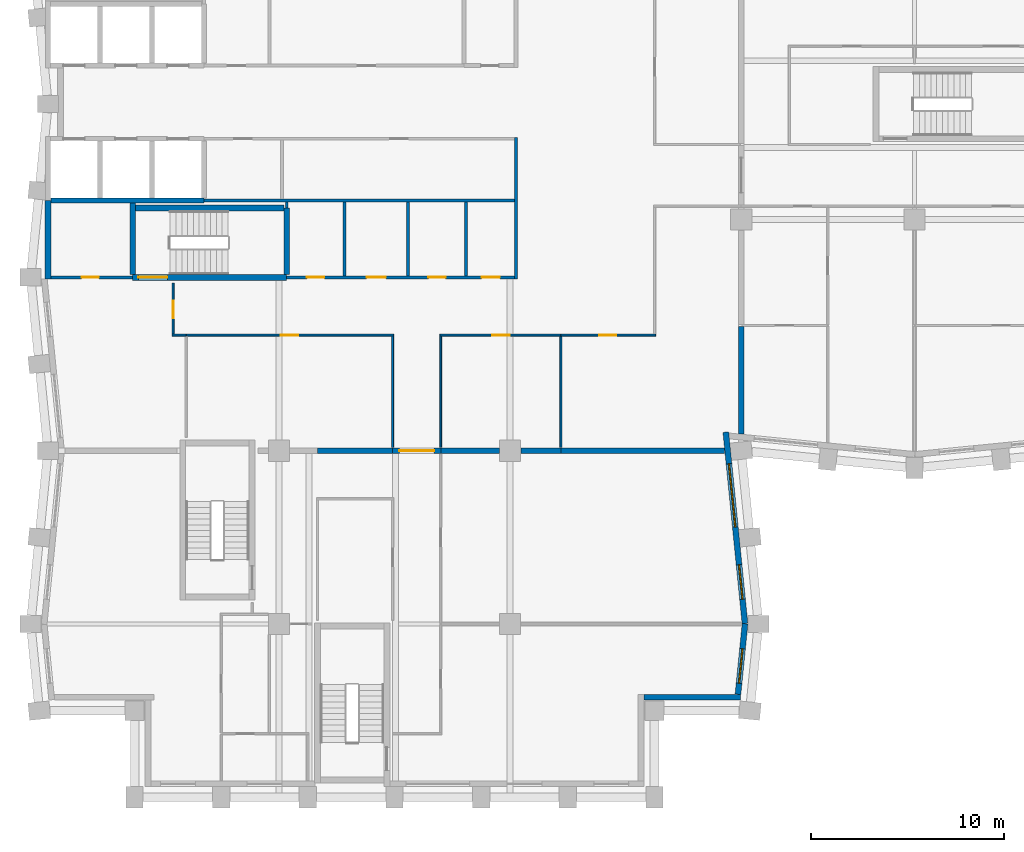
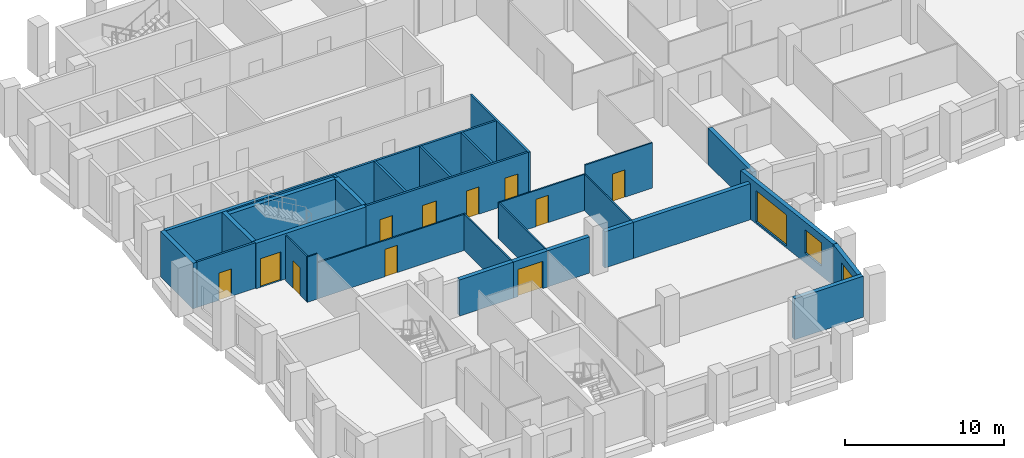
# One storey, part 4 of 10: 31 walls, 11 doors, 3 windows, 14 openings.
"""IFC4 building model written with IfcOpenShell, lengths in metres."""

import ifcopenshell
import ifcopenshell.guid

model = None  # the IFC model being written
_history = None  # IfcOwnerHistory: only IFC2X3 demands one
_inside = {}  # id of a spatial element -> (the spatial element, [elements in it])
_under = {}  # id of a project, library or spatial element -> (it, [spatial elements below it])
_declared = {}  # id of a project -> (the project, [libraries it declares])
_typed = {}  # id of a type object -> (the type object, [elements of that type])
_made_of = {}  # id of a material, layer set ... -> (it, [elements and type objects made of it])


def new_model(schema):
    """Start an empty IFC model of exactly this schema.

    Asked for "IFC4X3", IfcOpenShell would pick the latest addendum, in which some entities
    have other attributes; the version numbers below select the first issue.
    IFC2X3 requires an IfcOwnerHistory on every rooted entity: one is made here for all.
    """
    global model, _history
    if schema == "IFC4X3":
        model = ifcopenshell.file(schema_version=(4, 3, 0, 0))
    else:
        model = ifcopenshell.file(schema=schema)
    _inside.clear()
    _under.clear()
    _declared.clear()
    _typed.clear()
    _made_of.clear()
    _history = None
    if model.schema == "IFC2X3":
        org = make("IfcOrganization", Name="unknown")
        user = make(
            "IfcPersonAndOrganization",
            ThePerson=make("IfcPerson", FamilyName="unknown"),
            TheOrganization=org,
        )
        app = make(
            "IfcApplication",
            ApplicationDeveloper=org,
            Version="unknown",
            ApplicationFullName="unknown",
            ApplicationIdentifier="unknown",
        )
        _history = make(
            "IfcOwnerHistory",
            OwningUser=user,
            OwningApplication=app,
            ChangeAction="ADDED",
            CreationDate=0,
        )
    return model


def make(cls, **values):
    """One entity of the class cls with the attributes given. An attribute that is None is left unset."""
    return model.create_entity(
        cls, **{name: value for name, value in values.items() if value is not None}
    )


def rooted(cls, **values):
    """An entity with a GlobalId (a new one), such as an element, a storey or a relation."""
    return make(cls, GlobalId=ifcopenshell.guid.new(), OwnerHistory=_history, **values)


def si_unit(unit_type, name, prefix=None):
    """IfcSIUnit, for example si_unit("LENGTHUNIT", "METRE", prefix="MILLI")."""
    return make("IfcSIUnit", UnitType=unit_type, Prefix=prefix, Name=name)


def assignment(units):
    """IfcUnitAssignment: the units of a project."""
    return None if units is None else make("IfcUnitAssignment", Units=units)


def point(xyz):
    """IfcCartesianPoint."""
    return None if xyz is None else make("IfcCartesianPoint", Coordinates=xyz)


def direction(xyz):
    """IfcDirection."""
    return None if xyz is None else make("IfcDirection", DirectionRatios=xyz)


def frame(location, z_axis=None, x_axis=None):
    """IfcAxis2Placement3D, a coordinate frame: its origin and axes. An axis left out is left unset."""
    return make(
        "IfcAxis2Placement3D",
        Location=point(location),
        Axis=direction(z_axis),
        RefDirection=direction(x_axis),
    )


def frame_2d(location, x_axis=None):
    """IfcAxis2Placement2D, a coordinate frame in the plane: its origin and x axis."""
    return make(
        "IfcAxis2Placement2D", Location=point(location), RefDirection=direction(x_axis)
    )


def origin():
    """The frame at (0, 0, 0) with its axes left unset."""
    return frame((0.0, 0.0, 0.0))


def place(relative_to, where):
    """IfcLocalPlacement: puts the frame where relative to a parent placement (None: the world)."""
    return make(
        "IfcLocalPlacement", PlacementRelTo=relative_to, RelativePlacement=where
    )


def context(
    kind, dimensions, precision=None, world=None, true_north=None, identifier=None
):
    """IfcGeometricRepresentationContext, for example the 3D "Model" context."""
    return make(
        "IfcGeometricRepresentationContext",
        ContextIdentifier=identifier,
        ContextType=kind,
        CoordinateSpaceDimension=dimensions,
        Precision=precision,
        WorldCoordinateSystem=world,
        TrueNorth=true_north,
    )


def subcontext(parent, identifier, kind, view, scale=None):
    """IfcGeometricRepresentationSubContext, for example "Body" below "Model"."""
    return make(
        "IfcGeometricRepresentationSubContext",
        ContextIdentifier=identifier,
        ContextType=kind,
        ParentContext=parent,
        TargetScale=scale,
        TargetView=view,
    )


def project(units=None, contexts=None):
    """IfcProject with its units and contexts."""
    return rooted(
        "IfcProject",
        Name="project",
        RepresentationContexts=contexts,
        UnitsInContext=assignment(units),
    )


def spatial(cls, under=None, at=None, **own):
    """A site, building, storey or space (cls), placed at a placement, below another one or the project."""
    s = rooted(cls, ObjectPlacement=at, **own)
    if under is not None:
        _under.setdefault(under.id(), (under, []))[1].append(s)
    return s


def profile(cls, at=None, kind="AREA", **sizes):
    """A parametric profile (cls). Its sizes go by their IFC names, for example OverallWidth=200.0."""
    return make(cls, ProfileType=kind, Position=at, **sizes)


def rectangle(**sizes):
    """IfcRectangleProfileDef."""
    return profile("IfcRectangleProfileDef", **sizes)


def extrude(swept, where, along, depth):
    """IfcExtrudedAreaSolid: the profile swept, set in the frame where, extruded along a direction by depth."""
    return make(
        "IfcExtrudedAreaSolid",
        SweptArea=swept,
        Position=where,
        ExtrudedDirection=direction(along),
        Depth=depth,
    )


def shape(context_of_items, identifier, shape_type, items):
    """IfcShapeRepresentation: the items that make up one representation, for example the "Body"."""
    return make(
        "IfcShapeRepresentation",
        ContextOfItems=context_of_items,
        RepresentationIdentifier=identifier,
        RepresentationType=shape_type,
        Items=items,
    )


def material(Name=None, Category=None):
    """IfcMaterial."""
    return make("IfcMaterial", Name=Name, Category=Category)


def layer(
    of_material, thickness, ventilated=None, Name=None, Category=None, Priority=None
):
    """IfcMaterialLayer: one layer of a wall or slab, of a material (None: an air gap)."""
    return make(
        "IfcMaterialLayer",
        Material=of_material,
        LayerThickness=thickness,
        IsVentilated=ventilated,
        Name=Name,
        Category=Category,
        Priority=Priority,
    )


def layer_set(layers, Name=None):
    """IfcMaterialLayerSet."""
    return make("IfcMaterialLayerSet", MaterialLayers=layers, LayerSetName=Name)


def made_of(thing, what):
    """Note that an element or type object is made of a material, layer set ...; save() writes the relation."""
    if what is not None:
        _made_of.setdefault(what.id(), (what, []))[1].append(thing)
    return thing


def type_object(cls, material=None, **own):
    """A type object (cls), such as IfcWallType, which elements share."""
    return made_of(rooted(cls, **own), material)


def element(
    cls,
    number,
    at=None,
    inside=None,
    cuts=None,
    type_object=None,
    material=None,
    context=None,
    identifier="Body",
    shape_type=None,
    held_by="IfcProductDefinitionShape",
    body=None,
    shapes=None,
    **own,
):
    """One element of the class cls, such as IfcWall. Its Tag is "e" and its number.

    at: its placement. inside: the storey or other place that contains it. cuts: it is an
    opening in that element (IfcRelVoidsElement). A single representation is given by context,
    identifier, shape_type and body (its items); several are given by shapes. held_by: the class
    of the entity that holds the representations. save() writes the other relations.
    """
    e = rooted(cls, Tag="e%d" % number, ObjectPlacement=at, **own)
    if body is not None:
        shapes = [shape(context, identifier, shape_type, body)]
    if shapes is not None:
        e.Representation = make(held_by, Representations=shapes)
    if inside is not None:
        _inside.setdefault(inside.id(), (inside, []))[1].append(e)
    if cuts is not None:
        rooted(
            "IfcRelVoidsElement", RelatingBuildingElement=cuts, RelatedOpeningElement=e
        )
    if type_object is not None:
        _typed.setdefault(type_object.id(), (type_object, []))[1].append(e)
    return made_of(e, material)


def fill(opening, filler):
    """IfcRelFillsElement: the door or window that sits in an opening."""
    return rooted(
        "IfcRelFillsElement",
        RelatingOpeningElement=opening,
        RelatedBuildingElement=filler,
    )


def aggregate(whole, parts):
    """IfcRelAggregates: a whole, such as a stair, and the parts it consists of."""
    return rooted("IfcRelAggregates", RelatingObject=whole, RelatedObjects=parts)


def save(model, path):
    """Write the relations noted so far, then the file.

    IfcRelAggregates (storeys below a building ...), IfcRelContainedInSpatialStructure (elements
    in a storey), IfcRelDefinesByType, IfcRelAssociatesMaterial and IfcRelDeclares: one each for
    every whole, place, type object, material and project.
    """
    for whole, parts in _under.values():
        aggregate(whole, parts)
    for where, things in _inside.values():
        rooted(
            "IfcRelContainedInSpatialStructure",
            RelatedElements=things,
            RelatingStructure=where,
        )
    for kind, things in _typed.values():
        rooted("IfcRelDefinesByType", RelatedObjects=things, RelatingType=kind)
    for what, things in _made_of.values():
        rooted("IfcRelAssociatesMaterial", RelatedObjects=things, RelatingMaterial=what)
    for by, libraries in _declared.values():
        rooted("IfcRelDeclares", RelatingContext=by, RelatedDefinitions=libraries)
    model.write(path)


model = new_model("IFC4")

# Units and contexts
model_context = context("Model", 3, precision=1e-05, world=origin(), true_north=direction((0.0, 1.0)))
body_context = subcontext(model_context, "Body", "Model", "MODEL_VIEW")
ifc_project = project(units=[si_unit("LENGTHUNIT", "METRE"), si_unit("AREAUNIT", "SQUARE_METRE"), si_unit("VOLUMEUNIT", "CUBIC_METRE"), si_unit("PLANEANGLEUNIT", "RADIAN"), si_unit("MASSUNIT", "GRAM", prefix="KILO")], contexts=[model_context])

# Site, building, storey
site_placement = place(None, origin())
site = spatial("IfcSite", under=ifc_project, at=site_placement, CompositionType="ELEMENT")
building_placement = place(site_placement, origin())
building = spatial("IfcBuilding", under=site, at=building_placement, Name="Brondeck Convention Tower", CompositionType="ELEMENT")
storey_placement = place(building_placement, frame((0.0, 0.0, 170.0)))
storey = spatial("IfcBuildingStorey", under=building, at=storey_placement, Name="L41", CompositionType="ELEMENT", Elevation=170.0)

# Wall
ifc_material_1 = material(Name="Concrete compartment wall C30/37", Category="concrete")
ifc_layer_1 = layer(ifc_material_1, 0.300048828125)
ifc_layer_set_1 = layer_set([ifc_layer_1], Name="Compartment wall 300")
wall_type_1 = type_object("IfcWallType", Name="Compartment wall 300", PredefinedType="PARTITIONING", material=ifc_layer_set_1)
wall_1_placement = place(storey_placement, frame((14.0, 27.0, 0.0), z_axis=(0.0, 0.0, 1.0), x_axis=(1.0, 0.0, 0.0)))
element("IfcWall", 1, at=wall_1_placement, inside=storey, type_object=wall_type_1, Name="FLR-L41-W023", PredefinedType="PARTITIONING", context=body_context, shape_type="SweptSolid", body=[
    extrude(rectangle(XDim=3.89990234375, YDim=0.300048828125, at=frame_2d((1.949951171875, 0.0))), origin(), (0.0, 0.0, 1.0), 2.780029296875),
])

# Wall, opening, door
wall_2_placement = place(storey_placement, frame((20.39990234375, 27.0, 0.0), z_axis=(0.0, 0.0, 1.0), x_axis=(-1.0, 0.0, 0.0)))
wall_2 = element("IfcWall", 2, at=wall_2_placement, inside=storey, type_object=wall_type_1, Name="FLR-L41-W024", PredefinedType="PARTITIONING", context=body_context, shape_type="SweptSolid", body=[
    extrude(rectangle(XDim=2.5, YDim=0.300048828125, at=frame_2d((1.25, 0.0))), origin(), (0.0, 0.0, 1.0), 2.780029296875),
])
opening_1_placement = place(wall_2_placement, frame((0.35009765625, 0.0, 0.0)))
opening_1 = element("IfcOpeningElement", 3, at=opening_1_placement, cuts=wall_2, Name="Opening OF-H-022", PredefinedType="OPENING", context=body_context, shape_type="SweptSolid", body=[
    extrude(rectangle(XDim=1.800048828125, YDim=2.10009765625, at=frame_2d((0.89990234375, 1.050048828125))), frame((0.0, 0.159912109375, 0.0), z_axis=(0.0, -1.0, 0.0), x_axis=(1.0, 0.0, 0.0)), (0.0, 0.0, 1.0), 0.320068359375),
])
ifc_material_2 = material(Name="Steel fire door pair", Category="steel")
door_type_1 = type_object("IfcDoorType", Name="Fire door pair 1800", OperationType="DOUBLE_DOOR_SINGLE_SWING", PredefinedType="DOOR", material=ifc_material_2)
door_1_placement = place(opening_1_placement, origin())
door_1 = element("IfcDoor", 4, at=door_1_placement, inside=storey, type_object=door_type_1, Name="Door OF-H-022", OperationType="DOUBLE_DOOR_SINGLE_SWING", OverallHeight=2.10009765625, OverallWidth=1.800048828125, PredefinedType="DOOR", context=body_context, shape_type="SweptSolid", body=[
    extrude(rectangle(XDim=1.800048828125, YDim=2.10009765625, at=frame_2d((0.89990234375, 1.050048828125))), frame((0.0, 0.02490234375, 0.0), z_axis=(0.0, -1.0, 0.0), x_axis=(1.0, 0.0, 0.0)), (0.0, 0.0, 1.0), 0.050048828125),
])
fill(opening_1, door_1)

# Walls
wall_3_placement = place(storey_placement, frame((20.39990234375, 27.0, 0.0), z_axis=(0.0, 0.0, 1.0), x_axis=(1.0, 0.0, 0.0)))
element("IfcWall", 5, at=wall_3_placement, inside=storey, type_object=wall_type_1, Name="FLR-L41-W025", PredefinedType="PARTITIONING", context=body_context, shape_type="SweptSolid", body=[
    extrude(rectangle(XDim=3.045166015625, YDim=0.300048828125, at=frame_2d((1.5224609375, 0.0))), origin(), (0.0, 0.0, 1.0), 2.780029296875),
])
wall_4_placement = place(storey_placement, frame((24.554931640625, 27.0, 0.0), z_axis=(0.0, 0.0, 1.0), x_axis=(1.0, 0.0, 0.0)))
element("IfcWall", 6, at=wall_4_placement, inside=storey, type_object=wall_type_1, Name="FLR-L41-W026", PredefinedType="PARTITIONING", context=body_context, shape_type="SweptSolid", body=[
    extrude(rectangle(XDim=2.0849609375, YDim=0.300048828125, at=frame_2d((1.04248046875, 0.0))), origin(), (0.0, 0.0, 1.0), 2.780029296875),
])
wall_5_placement = place(storey_placement, frame((26.639892578125, 27.0, 0.0), z_axis=(0.0, 0.0, 1.0), x_axis=(1.0, 0.0, 0.0)))
element("IfcWall", 7, at=wall_5_placement, inside=storey, type_object=wall_type_1, Name="FLR-L41-W027", PredefinedType="PARTITIONING", context=body_context, shape_type="SweptSolid", body=[
    extrude(rectangle(XDim=8.48583984375, YDim=0.300048828125, at=frame_2d((4.242919921875, 0.0))), origin(), (0.0, 0.0, 1.0), 2.780029296875),
])
wall_6_placement = place(storey_placement, frame((36.0, 27.874267578125, 0.0), z_axis=(0.0, 0.0, 1.0), x_axis=(0.0, 1.0, 0.0)))
element("IfcWall", 8, at=wall_6_placement, inside=storey, type_object=wall_type_1, Name="FLR-L41-W030", PredefinedType="PARTITIONING", context=body_context, shape_type="SweptSolid", body=[
    extrude(rectangle(XDim=5.57568359375, YDim=0.300048828125, at=frame_2d((2.787841796875, 0.0))), origin(), (0.0, 0.0, 1.0), 2.780029296875),
])

# Wall, openings, doors
ifc_material_3 = material(Name="Concrete C70/85", Category="concrete")
ifc_layer_2 = layer(ifc_material_3, 0.14990234375)
ifc_layer_set_2 = layer_set([ifc_layer_2], Name="Core beam-seat wall 150 Concrete C70/85")
wall_type_2 = type_object("IfcWallType", Name="Core beam-seat wall 150 Concrete C70/85", PredefinedType="SHEAR", material=ifc_layer_set_2)
wall_7_placement = place(storey_placement, frame((12.39990234375, 36.0, 0.0), z_axis=(0.0, 0.0, 1.0), x_axis=(1.0, 0.0, 0.0)))
wall_7 = element("IfcWall", 9, at=wall_7_placement, inside=storey, type_object=wall_type_2, Name="L41 core wall", PredefinedType="SHEAR", context=body_context, shape_type="SweptSolid", body=[
    extrude(rectangle(XDim=11.8251953125, YDim=0.14990234375, at=frame_2d((5.91259765625, 0.0))), origin(), (0.0, 0.0, 1.0), 3.5),
])
opening_2_placement = place(wall_7_placement, frame((1.050048828125, 0.0, 0.0)))
opening_2 = element("IfcOpeningElement", 10, at=opening_2_placement, cuts=wall_7, Name="Opening C23-03", PredefinedType="OPENING", context=body_context, shape_type="SweptSolid", body=[
    extrude(rectangle(XDim=0.89990234375, YDim=2.10009765625, at=frame_2d((0.449951171875, 1.050048828125))), frame((0.0, 0.0849609375, 0.0), z_axis=(0.0, -1.0, 0.0), x_axis=(1.0, 0.0, 0.0)), (0.0, 0.0, 1.0), 0.169921875),
])
opening_3_placement = place(wall_7_placement, frame((4.14990234375, 0.0, 0.0)))
opening_3 = element("IfcOpeningElement", 11, at=opening_3_placement, cuts=wall_7, Name="Opening C23-04", PredefinedType="OPENING", context=body_context, shape_type="SweptSolid", body=[
    extrude(rectangle(XDim=1.0, YDim=2.10009765625, at=frame_2d((0.5, 1.050048828125))), frame((0.0, 0.0849609375, 0.0), z_axis=(0.0, -1.0, 0.0), x_axis=(1.0, 0.0, 0.0)), (0.0, 0.0, 1.0), 0.169921875),
])
opening_4_placement = place(wall_7_placement, frame((7.35009765625, 0.0, 0.0)))
opening_4 = element("IfcOpeningElement", 12, at=opening_4_placement, cuts=wall_7, Name="Opening C23-05", PredefinedType="OPENING", context=body_context, shape_type="SweptSolid", body=[
    extrude(rectangle(XDim=0.89990234375, YDim=2.10009765625, at=frame_2d((0.449951171875, 1.050048828125))), frame((0.0, 0.0849609375, 0.0), z_axis=(0.0, -1.0, 0.0), x_axis=(1.0, 0.0, 0.0)), (0.0, 0.0, 1.0), 0.169921875),
])
opening_5_placement = place(wall_7_placement, frame((10.125, 0.0, 0.0)))
opening_5 = element("IfcOpeningElement", 13, at=opening_5_placement, cuts=wall_7, Name="Opening C23-06", PredefinedType="OPENING", context=body_context, shape_type="SweptSolid", body=[
    extrude(rectangle(XDim=0.949951171875, YDim=2.10009765625, at=frame_2d((0.47509765625, 1.050048828125))), frame((0.0, 0.0849609375, 0.0), z_axis=(0.0, -1.0, 0.0), x_axis=(1.0, 0.0, 0.0)), (0.0, 0.0, 1.0), 0.169921875),
])
ifc_material_4 = material(Name="Steel fire door", Category="steel")
door_type_2 = type_object("IfcDoorType", Name="Room door 1000x2100 EI 60", OperationType="NOTDEFINED", PredefinedType="DOOR", material=ifc_material_4)
door_2_placement = place(opening_3_placement, origin())
door_2 = element("IfcDoor", 14, at=door_2_placement, inside=storey, type_object=door_type_2, Name="L41 Room door FR-2", OperationType="SINGLE_SWING_LEFT", OverallHeight=2.10009765625, OverallWidth=1.0, PredefinedType="DOOR", context=body_context, shape_type="SweptSolid", body=[
    extrude(rectangle(XDim=1.0, YDim=2.10009765625, at=frame_2d((0.5, 1.050048828125))), frame((0.0, 0.02490234375, 0.0), z_axis=(0.0, -1.0, 0.0), x_axis=(1.0, 0.0, 0.0)), (0.0, 0.0, 1.0), 0.050048828125),
])
fill(opening_3, door_2)
door_type_3 = type_object("IfcDoorType", Name="Room door 900x2100 EI 60", OperationType="NOTDEFINED", PredefinedType="DOOR", material=ifc_material_4)
door_3_placement = place(opening_2_placement, origin())
door_3 = element("IfcDoor", 15, at=door_3_placement, inside=storey, type_object=door_type_3, Name="L41 Room door FR-1", OperationType="SINGLE_SWING_RIGHT", OverallHeight=2.10009765625, OverallWidth=0.89990234375, PredefinedType="DOOR", context=body_context, shape_type="SweptSolid", body=[
    extrude(rectangle(XDim=0.89990234375, YDim=2.10009765625, at=frame_2d((0.449951171875, 1.050048828125))), frame((0.0, 0.02490234375, 0.0), z_axis=(0.0, -1.0, 0.0), x_axis=(1.0, 0.0, 0.0)), (0.0, 0.0, 1.0), 0.050048828125),
])
fill(opening_2, door_3)
door_4_placement = place(opening_4_placement, origin())
door_4 = element("IfcDoor", 16, at=door_4_placement, inside=storey, type_object=door_type_3, Name="L41 Room door FR-3", OperationType="SINGLE_SWING_RIGHT", OverallHeight=2.10009765625, OverallWidth=0.89990234375, PredefinedType="DOOR", context=body_context, shape_type="SweptSolid", body=[
    extrude(rectangle(XDim=0.89990234375, YDim=2.10009765625, at=frame_2d((0.449951171875, 1.050048828125))), frame((0.0, 0.02490234375, 0.0), z_axis=(0.0, -1.0, 0.0), x_axis=(1.0, 0.0, 0.0)), (0.0, 0.0, 1.0), 0.050048828125),
])
fill(opening_4, door_4)
door_type_4 = type_object("IfcDoorType", Name="Room door 950x2100 EI 60", OperationType="NOTDEFINED", PredefinedType="DOOR", material=ifc_material_4)
door_5_placement = place(opening_5_placement, origin())
door_5 = element("IfcDoor", 17, at=door_5_placement, inside=storey, type_object=door_type_4, Name="L41 Room door FR-4", OperationType="SINGLE_SWING_LEFT", OverallHeight=2.10009765625, OverallWidth=0.949951171875, PredefinedType="DOOR", context=body_context, shape_type="SweptSolid", body=[
    extrude(rectangle(XDim=0.949951171875, YDim=2.10009765625, at=frame_2d((0.47509765625, 1.050048828125))), frame((0.0, 0.02490234375, 0.0), z_axis=(0.0, -1.0, 0.0), x_axis=(1.0, 0.0, 0.0)), (0.0, 0.0, 1.0), 0.050048828125),
])
fill(opening_5, door_5)

# Wall
ifc_layer_3 = layer(ifc_material_3, 0.300048828125)
ifc_layer_set_3 = layer_set([ifc_layer_3], Name="Core outer wall 300 Concrete C70/85")
wall_type_3 = type_object("IfcWallType", Name="Core outer wall 300 Concrete C70/85", PredefinedType="SHEAR", material=ifc_layer_set_3)
wall_8_placement = place(storey_placement, frame((0.0, 35.925048828125, 0.0), z_axis=(0.0, 0.0, 1.0), x_axis=(0.0, 1.0, 0.0)))
element("IfcWall", 18, at=wall_8_placement, inside=storey, type_object=wall_type_3, Name="L41 core wall", PredefinedType="SHEAR", context=body_context, shape_type="SweptSolid", body=[
    extrude(rectangle(XDim=4.074951171875, YDim=0.300048828125, at=frame_2d((2.03759765625, 0.0))), origin(), (0.0, 0.0, 1.0), 3.5),
])

# Wall, opening, door
ifc_material_5 = material(Name="Fire-rated gypsum board partition")
ifc_layer_4 = layer(ifc_material_5, 0.14990234375)
ifc_layer_set_4 = layer_set([ifc_layer_4], Name="Core partition 150 EI 60")
wall_type_4 = type_object("IfcWallType", Name="Core partition 150 EI 60", PredefinedType="PARTITIONING", material=ifc_layer_set_4)
wall_9_placement = place(storey_placement, frame((0.14990234375, 36.0, 0.0), z_axis=(0.0, 0.0, 1.0), x_axis=(1.0, 0.0, 0.0)))
wall_9 = element("IfcWall", 19, at=wall_9_placement, inside=storey, type_object=wall_type_4, Name="L41 core wall", PredefinedType="PARTITIONING", context=body_context, shape_type="SweptSolid", body=[
    extrude(rectangle(XDim=4.25, YDim=0.14990234375, at=frame_2d((2.125, 0.0))), origin(), (0.0, 0.0, 1.0), 3.5),
])
opening_6_placement = place(wall_9_placement, frame((1.60009765625, 0.0, 0.0)))
opening_6 = element("IfcOpeningElement", 20, at=opening_6_placement, cuts=wall_9, Name="Opening C23-07", PredefinedType="OPENING", context=body_context, shape_type="SweptSolid", body=[
    extrude(rectangle(XDim=0.89990234375, YDim=2.10009765625, at=frame_2d((0.449951171875, 1.050048828125))), frame((0.0, 0.0849609375, 0.0), z_axis=(0.0, -1.0, 0.0), x_axis=(1.0, 0.0, 0.0)), (0.0, 0.0, 1.0), 0.169921875),
])
door_6_placement = place(opening_6_placement, origin())
door_6 = element("IfcDoor", 21, at=door_6_placement, inside=storey, type_object=door_type_3, Name="L41 Room door FRW-1", OperationType="SINGLE_SWING_LEFT", OverallHeight=2.10009765625, OverallWidth=0.89990234375, PredefinedType="DOOR", context=body_context, shape_type="SweptSolid", body=[
    extrude(rectangle(XDim=0.89990234375, YDim=2.10009765625, at=frame_2d((0.449951171875, 1.050048828125))), frame((0.0, 0.02490234375, 0.0), z_axis=(0.0, -1.0, 0.0), x_axis=(1.0, 0.0, 0.0)), (0.0, 0.0, 1.0), 0.050048828125),
])
fill(opening_6, door_6)

# Walls
wall_10_placement = place(storey_placement, frame((8.10009765625, 40.0, 0.0), z_axis=(0.0, 0.0, 1.0), x_axis=(1.0, 0.0, 0.0)))
element("IfcWall", 22, at=wall_10_placement, inside=storey, type_object=wall_type_4, Name="L41 core wall", PredefinedType="PARTITIONING", context=body_context, shape_type="SweptSolid", body=[
    extrude(rectangle(XDim=16.125, YDim=0.14990234375, at=frame_2d((8.0625, 0.0))), origin(), (0.0, 0.0, 1.0), 3.5),
])
wall_11_placement = place(storey_placement, frame((12.39990234375, 39.60009765625, 0.0), z_axis=(0.0, 0.0, 1.0), x_axis=(0.0, 1.0, 0.0)))
element("IfcWall", 23, at=wall_11_placement, inside=storey, type_object=wall_type_4, Name="L41 core wall", PredefinedType="PARTITIONING", context=body_context, shape_type="SweptSolid", body=[
    extrude(rectangle(XDim=0.324951171875, YDim=0.14990234375, at=frame_2d((0.16259765625, 0.0))), origin(), (0.0, 0.0, 1.0), 3.5),
])
for number, where, z_axis, x_axis, name in (
    (24, (15.39990234375, 36.074951171875, 0.0), (0.0, 0.0, 1.0), (0.0, 1.0, 0.0), "L41 core wall"),
    (25, (18.699951171875, 36.074951171875, 0.0), (0.0, 0.0, 1.0), (0.0, 1.0, 0.0), "L41 core wall"),
    (26, (21.699951171875, 36.074951171875, 0.0), (0.0, 0.0, 1.0), (0.0, 1.0, 0.0), "L41 core wall"),
):
    element("IfcWall", number, at=place(storey_placement, frame(where, z_axis=z_axis, x_axis=x_axis)), inside=storey, type_object=wall_type_4, Name=name, PredefinedType="PARTITIONING", context=body_context, shape_type="SweptSolid", body=[
        extrude(rectangle(XDim=3.85009765625, YDim=0.14990234375, at=frame_2d((1.925048828125, 0.0))), origin(), (0.0, 0.0, 1.0), 3.5),
    ])
wall_12_placement = place(storey_placement, frame((24.300048828125, 35.925048828125, 0.0), z_axis=(0.0, 0.0, 1.0), x_axis=(0.0, 1.0, 0.0)))
element("IfcWall", 27, at=wall_12_placement, inside=storey, type_object=wall_type_4, Name="L41 core wall", PredefinedType="PARTITIONING", context=body_context, shape_type="SweptSolid", body=[
    extrude(rectangle(XDim=7.349853515625, YDim=0.14990234375, at=frame_2d((3.6748046875, 0.0))), origin(), (0.0, 0.0, 1.0), 3.5),
])
ifc_material_6 = material(Name="Precast concrete C50/60 bronze finish", Category="concrete")
ifc_layer_5 = layer(ifc_material_6, 0.070068359375, Name="Bronze precast facing")
ifc_material_7 = material(Name="Mineral wool")
ifc_layer_6 = layer(ifc_material_7, 0.159912109375, Name="Insulation")
ifc_material_8 = material(Name="Concrete C35/45", Category="concrete")
ifc_layer_7 = layer(ifc_material_8, 0.070068359375, Name="Backing")
ifc_layer_set_5 = layer_set([ifc_layer_5, ifc_layer_6, ifc_layer_7], Name="External infill wall, precast concrete C50/60 bronze facing")
wall_type_5 = type_object("IfcWallType", Name="External infill wall, precast concrete C50/60 bronze facing", PredefinedType="SOLIDWALL", material=ifc_layer_set_5)
wall_13_placement = place(storey_placement, frame((35.952392578125, 14.199951171875, 0.0), z_axis=(0.0, 0.0, 1.0), x_axis=(-1.0, 0.0, 0.0)))
element("IfcWall", 28, at=wall_13_placement, inside=storey, type_object=wall_type_5, Name="ENV-EW-L41-P1-NC-SEB9-02", PredefinedType="SOLIDWALL", context=body_context, shape_type="SweptSolid", body=[
    extrude(rectangle(XDim=5.00244140625, YDim=0.300048828125, at=frame_2d((2.501220703125, 0.0))), origin(), (0.0, 0.0, 1.0), 3.14990234375),
])

# Wall, opening, window
wall_14_placement = place(storey_placement, frame((36.197998046875, 18.014892578125, 0.0), z_axis=(0.0, 0.0, 1.0), x_axis=(-0.099529980022, -0.99503456376, 0.0)))
wall_14 = element("IfcWall", 29, at=wall_14_placement, inside=storey, type_object=wall_type_5, Name="ENV-EW-L41-P1-B-E-02", PredefinedType="SOLIDWALL", context=body_context, shape_type="SweptSolid", body=[
    extrude(rectangle(XDim=3.681884765625, YDim=0.300048828125, at=frame_2d((1.8408203125, 0.0))), origin(), (0.0, 0.0, 1.0), 3.14990234375),
])
opening_7_placement = place(wall_14_placement, frame((1.30615234375, 0.0, 0.75)))
opening_7 = element("IfcOpeningElement", 30, at=opening_7_placement, cuts=wall_14, Name="Opening W10", PredefinedType="OPENING", context=body_context, shape_type="SweptSolid", body=[
    extrude(rectangle(XDim=1.800048828125, YDim=1.800048828125, at=frame_2d((0.89990234375, 0.89990234375))), frame((0.0, 0.159912109375, 0.0), z_axis=(0.0, -1.0, 0.0), x_axis=(1.0, 0.0, 0.0)), (0.0, 0.0, 1.0), 0.320068359375),
])
ifc_material_9 = material(Name="Bronze tinted double glazing", Category="glass")
window_type_1 = type_object("IfcWindowType", Name="Punched window, bronze tinted", PartitioningType="SINGLE_PANEL", PredefinedType="WINDOW", material=ifc_material_9)
window_1_placement = place(opening_7_placement, origin())
window_1 = element("IfcWindow", 31, at=window_1_placement, inside=storey, type_object=window_type_1, Name="ENV-WN-L41-P1-B-E-02", OverallHeight=1.800048828125, OverallWidth=1.800048828125, PartitioningType="SINGLE_PANEL", PredefinedType="WINDOW", context=body_context, shape_type="SweptSolid", body=[
    extrude(rectangle(XDim=1.800048828125, YDim=1.800048828125, at=frame_2d((0.89990234375, 0.89990234375))), frame((0.0, 0.030029296875, 0.0), z_axis=(0.0, -1.0, 0.0), x_axis=(1.0, 0.0, 0.0)), (0.0, 0.0, 1.0), 0.06005859375),
])
fill(opening_7, window_1)

# Wall, openings, windows
wall_15_placement = place(storey_placement, frame((35.2001953125, 27.964111328125, 0.0), z_axis=(0.0, 0.0, 1.0), x_axis=(0.099501297882, -0.995037432321, 0.0)))
wall_15 = element("IfcWall", 32, at=wall_15_placement, inside=storey, type_object=wall_type_5, Name="ENV-EW-L41-P1-B-E-01", PredefinedType="SOLIDWALL", context=body_context, shape_type="SweptSolid", body=[
    extrude(rectangle(XDim=9.98388671875, YDim=0.300048828125, at=frame_2d((4.991943359375, 0.0))), origin(), (0.0, 0.0, 1.0), 3.14990234375),
])
opening_8_placement = place(wall_15_placement, frame((1.650146484375, 0.0, 0.14990234375)))
opening_8 = element("IfcOpeningElement", 33, at=opening_8_placement, cuts=wall_15, Name="Opening W9", PredefinedType="OPENING", context=body_context, shape_type="SweptSolid", body=[
    extrude(rectangle(XDim=3.300048828125, YDim=2.39990234375, at=frame_2d((1.64990234375, 1.199951171875))), frame((0.0, 0.159912109375, 0.0), z_axis=(0.0, -1.0, 0.0), x_axis=(1.0, 0.0, 0.0)), (0.0, 0.0, 1.0), 0.320068359375),
])
opening_9_placement = place(wall_15_placement, frame((6.922607421875, 0.0, 0.75)))
opening_9 = element("IfcOpeningElement", 34, at=opening_9_placement, cuts=wall_15, Name="Opening W10", PredefinedType="OPENING", context=body_context, shape_type="SweptSolid", body=[
    extrude(rectangle(XDim=1.800048828125, YDim=1.800048828125, at=frame_2d((0.89990234375, 0.89990234375))), frame((0.0, 0.159912109375, 0.0), z_axis=(0.0, -1.0, 0.0), x_axis=(1.0, 0.0, 0.0)), (0.0, 0.0, 1.0), 0.320068359375),
])
window_type_2 = type_object("IfcWindowType", Name="Glazed flute window, bronze tinted", PartitioningType="SINGLE_PANEL", PredefinedType="WINDOW", material=ifc_material_9)
window_2_placement = place(opening_8_placement, origin())
window_2 = element("IfcWindow", 35, at=window_2_placement, inside=storey, type_object=window_type_2, Name="ENV-WN-L41-P1-B-E-00", OverallHeight=2.39990234375, OverallWidth=3.300048828125, PartitioningType="SINGLE_PANEL", PredefinedType="WINDOW", context=body_context, shape_type="SweptSolid", body=[
    extrude(rectangle(XDim=3.300048828125, YDim=2.39990234375, at=frame_2d((1.64990234375, 1.199951171875))), frame((0.0, 0.030029296875, 0.0), z_axis=(0.0, -1.0, 0.0), x_axis=(1.0, 0.0, 0.0)), (0.0, 0.0, 1.0), 0.06005859375),
])
fill(opening_8, window_2)
window_3_placement = place(opening_9_placement, origin())
window_3 = element("IfcWindow", 36, at=window_3_placement, inside=storey, type_object=window_type_1, Name="ENV-WN-L41-P1-B-E-01", OverallHeight=1.800048828125, OverallWidth=1.800048828125, PartitioningType="SINGLE_PANEL", PredefinedType="WINDOW", context=body_context, shape_type="SweptSolid", body=[
    extrude(rectangle(XDim=1.800048828125, YDim=1.800048828125, at=frame_2d((0.89990234375, 0.89990234375))), frame((0.0, 0.030029296875, 0.0), z_axis=(0.0, -1.0, 0.0), x_axis=(1.0, 0.0, 0.0)), (0.0, 0.0, 1.0), 0.06005859375),
])
fill(opening_9, window_3)

# Walls
ifc_layer_8 = layer(ifc_material_3, 0.25)
ifc_layer_set_6 = layer_set([ifc_layer_8], Name="Lift shaft wall 250 Concrete C70/85")
wall_type_6 = type_object("IfcWallType", Name="Lift shaft wall 250 Concrete C70/85", PredefinedType="SHEAR", material=ifc_layer_set_6)
wall_16_placement = place(storey_placement, frame((0.14990234375, 40.0, 0.0), z_axis=(0.0, 0.0, 1.0), x_axis=(1.0, 0.0, 0.0)))
element("IfcWall", 37, at=wall_16_placement, inside=storey, type_object=wall_type_6, Name="L41 core wall", PredefinedType="SHEAR", context=body_context, shape_type="SweptSolid", body=[
    extrude(rectangle(XDim=7.9501953125, YDim=0.25, at=frame_2d((3.97509765625, 0.0))), origin(), (0.0, 0.0, 1.0), 3.5),
])
ifc_material_10 = material(Name="Gypsum board partition on steel studs", Category="steel")
ifc_layer_9 = layer(ifc_material_10, 0.10009765625)
ifc_layer_set_7 = layer_set([ifc_layer_9], Name="Room partition 100")
wall_type_7 = type_object("IfcWallType", Name="Room partition 100", PredefinedType="PARTITIONING", material=ifc_layer_set_7)
for number, where, z_axis, x_axis, name in (
    (38, (17.89990234375, 27.169921875, 0.0), (0.0, 0.0, 1.0), (0.0, 1.0, 0.0), "FLR-L41-W028"),
    (39, (20.39990234375, 32.949951171875, 0.0), (0.0, 0.0, 1.0), (0.0, -1.0, 0.0), "FLR-L41-W032"),
    (40, (26.639892578125, 32.949951171875, 0.0), (0.0, 0.0, 1.0), (0.0, -1.0, 0.0), "FLR-L41-W033"),
):
    element("IfcWall", number, at=place(storey_placement, frame(where, z_axis=z_axis, x_axis=x_axis)), inside=storey, type_object=wall_type_7, Name=name, PredefinedType="PARTITIONING", context=body_context, shape_type="SweptSolid", body=[
        extrude(rectangle(XDim=5.780029296875, YDim=0.10009765625, at=frame_2d((2.89013671875, 0.0))), origin(), (0.0, 0.0, 1.0), 2.780029296875),
    ])
wall_17_placement = place(storey_placement, frame((7.172119140625, 33.0, 0.0), z_axis=(0.0, 0.0, 1.0), x_axis=(-1.0, 0.0, 0.0)))
element("IfcWall", 41, at=wall_17_placement, inside=storey, type_object=wall_type_7, Name="FLR-L41-W034", PredefinedType="PARTITIONING", context=body_context, shape_type="SweptSolid", body=[
    extrude(rectangle(XDim=0.72216796875, YDim=0.10009765625, at=frame_2d((0.361083984375, 0.0))), origin(), (0.0, 0.0, 1.0), 3.47998046875),
])

# Wall, opening, door
wall_18_placement = place(storey_placement, frame((17.949951171875, 33.0, 0.0), z_axis=(0.0, 0.0, 1.0), x_axis=(-1.0, 0.0, 0.0)))
wall_18 = element("IfcWall", 42, at=wall_18_placement, inside=storey, type_object=wall_type_7, Name="FLR-L41-W035", PredefinedType="PARTITIONING", context=body_context, shape_type="SweptSolid", body=[
    extrude(rectangle(XDim=10.77783203125, YDim=0.10009765625, at=frame_2d((5.388916015625, 0.0))), origin(), (0.0, 0.0, 1.0), 2.780029296875),
])
opening_10_placement = place(wall_18_placement, frame((4.964111328125, 0.0, 0.0)))
opening_10 = element("IfcOpeningElement", 43, at=opening_10_placement, cuts=wall_18, Name="Opening OF-H-016", PredefinedType="OPENING", context=body_context, shape_type="SweptSolid", body=[
    extrude(rectangle(XDim=0.89990234375, YDim=2.10009765625, at=frame_2d((0.449951171875, 1.050048828125))), frame((0.0, 0.06005859375, 0.0), z_axis=(0.0, -1.0, 0.0), x_axis=(1.0, 0.0, 0.0)), (0.0, 0.0, 1.0), 0.1201171875),
])
ifc_material_11 = material(Name="Solid timber door leaf", Category="wood")
door_type_5 = type_object("IfcDoorType", Name="Single door 900", OperationType="NOTDEFINED", PredefinedType="DOOR", material=ifc_material_11)
door_7_placement = place(opening_10_placement, origin())
door_7 = element("IfcDoor", 44, at=door_7_placement, inside=storey, type_object=door_type_5, Name="Door OF-H-016", OperationType="SINGLE_SWING_LEFT", OverallHeight=2.10009765625, OverallWidth=0.89990234375, PredefinedType="DOOR", context=body_context, shape_type="SweptSolid", body=[
    extrude(rectangle(XDim=0.89990234375, YDim=2.10009765625, at=frame_2d((0.449951171875, 1.050048828125))), frame((0.0, 0.02490234375, 0.0), z_axis=(0.0, -1.0, 0.0), x_axis=(1.0, 0.0, 0.0)), (0.0, 0.0, 1.0), 0.050048828125),
])
fill(opening_10, door_7)

wall_19_placement = place(storey_placement, frame((26.639892578125, 33.0, 0.0), z_axis=(0.0, 0.0, 1.0), x_axis=(-1.0, 0.0, 0.0)))
wall_19 = element("IfcWall", 45, at=wall_19_placement, inside=storey, type_object=wall_type_7, Name="FLR-L41-W036", PredefinedType="PARTITIONING", context=body_context, shape_type="SweptSolid", body=[
    extrude(rectangle(XDim=6.289794921875, YDim=0.10009765625, at=frame_2d((3.14501953125, 0.0))), origin(), (0.0, 0.0, 1.0), 2.780029296875),
])
opening_11_placement = place(wall_19_placement, frame((2.669921875, 0.0, 0.0)))
opening_11 = element("IfcOpeningElement", 46, at=opening_11_placement, cuts=wall_19, Name="Opening OF-H-017", PredefinedType="OPENING", context=body_context, shape_type="SweptSolid", body=[
    extrude(rectangle(XDim=0.89990234375, YDim=2.10009765625, at=frame_2d((0.449951171875, 1.050048828125))), frame((0.0, 0.06005859375, 0.0), z_axis=(0.0, -1.0, 0.0), x_axis=(1.0, 0.0, 0.0)), (0.0, 0.0, 1.0), 0.1201171875),
])
door_8_placement = place(opening_11_placement, origin())
door_8 = element("IfcDoor", 47, at=door_8_placement, inside=storey, type_object=door_type_5, Name="Door OF-H-017", OperationType="SINGLE_SWING_LEFT", OverallHeight=2.10009765625, OverallWidth=0.89990234375, PredefinedType="DOOR", context=body_context, shape_type="SweptSolid", body=[
    extrude(rectangle(XDim=0.89990234375, YDim=2.10009765625, at=frame_2d((0.449951171875, 1.050048828125))), frame((0.0, 0.02490234375, 0.0), z_axis=(0.0, -1.0, 0.0), x_axis=(1.0, 0.0, 0.0)), (0.0, 0.0, 1.0), 0.050048828125),
])
fill(opening_11, door_8)

wall_20_placement = place(storey_placement, frame((31.550048828125, 33.0, 0.0), z_axis=(0.0, 0.0, 1.0), x_axis=(-1.0, 0.0, 0.0)))
wall_20 = element("IfcWall", 48, at=wall_20_placement, inside=storey, type_object=wall_type_7, Name="FLR-L41-W037", PredefinedType="PARTITIONING", context=body_context, shape_type="SweptSolid", body=[
    extrude(rectangle(XDim=4.91015625, YDim=0.10009765625, at=frame_2d((2.455078125, 0.0))), origin(), (0.0, 0.0, 1.0), 3.47998046875),
])
opening_12_placement = place(wall_20_placement, frame((2.030029296875, 0.0, 0.0)))
opening_12 = element("IfcOpeningElement", 49, at=opening_12_placement, cuts=wall_20, Name="Opening OF-H-018", PredefinedType="OPENING", context=body_context, shape_type="SweptSolid", body=[
    extrude(rectangle(XDim=0.89990234375, YDim=2.10009765625, at=frame_2d((0.449951171875, 1.050048828125))), frame((0.0, 0.06005859375, 0.0), z_axis=(0.0, -1.0, 0.0), x_axis=(1.0, 0.0, 0.0)), (0.0, 0.0, 1.0), 0.1201171875),
])
door_9_placement = place(opening_12_placement, origin())
door_9 = element("IfcDoor", 50, at=door_9_placement, inside=storey, type_object=door_type_5, Name="Door OF-H-018", OperationType="SINGLE_SWING_LEFT", OverallHeight=2.10009765625, OverallWidth=0.89990234375, PredefinedType="DOOR", context=body_context, shape_type="SweptSolid", body=[
    extrude(rectangle(XDim=0.89990234375, YDim=2.10009765625, at=frame_2d((0.449951171875, 1.050048828125))), frame((0.0, 0.02490234375, 0.0), z_axis=(0.0, -1.0, 0.0), x_axis=(1.0, 0.0, 0.0)), (0.0, 0.0, 1.0), 0.050048828125),
])
fill(opening_12, door_9)

wall_21_placement = place(storey_placement, frame((6.5, 33.050048828125, 0.0), z_axis=(0.0, 0.0, 1.0), x_axis=(0.0, 1.0, 0.0)))
wall_21 = element("IfcWall", 51, at=wall_21_placement, inside=storey, type_object=wall_type_7, Name="FLR-L41-W038", PredefinedType="PARTITIONING", context=body_context, shape_type="SweptSolid", body=[
    extrude(rectangle(XDim=2.64990234375, YDim=0.10009765625, at=frame_2d((1.324951171875, 0.0))), origin(), (0.0, 0.0, 1.0), 3.47998046875),
])
opening_13_placement = place(wall_21_placement, frame((0.824951171875, 0.0, 0.0)))
opening_13 = element("IfcOpeningElement", 52, at=opening_13_placement, cuts=wall_21, Name="Opening OF-H-015", PredefinedType="OPENING", context=body_context, shape_type="SweptSolid", body=[
    extrude(rectangle(XDim=0.89990234375, YDim=2.10009765625, at=frame_2d((0.449951171875, 1.050048828125))), frame((0.0, 0.06005859375, 0.0), z_axis=(0.0, -1.0, 0.0), x_axis=(1.0, 0.0, 0.0)), (0.0, 0.0, 1.0), 0.1201171875),
])
door_10_placement = place(opening_13_placement, origin())
door_10 = element("IfcDoor", 53, at=door_10_placement, inside=storey, type_object=door_type_5, Name="Door OF-H-015", OperationType="SINGLE_SWING_LEFT", OverallHeight=2.10009765625, OverallWidth=0.89990234375, PredefinedType="DOOR", context=body_context, shape_type="SweptSolid", body=[
    extrude(rectangle(XDim=0.89990234375, YDim=2.10009765625, at=frame_2d((0.449951171875, 1.050048828125))), frame((0.0, 0.02490234375, 0.0), z_axis=(0.0, -1.0, 0.0), x_axis=(1.0, 0.0, 0.0)), (0.0, 0.0, 1.0), 0.050048828125),
])
fill(opening_13, door_10)

ifc_layer_10 = layer(ifc_material_3, 0.300048828125)
ifc_layer_set_8 = layer_set([ifc_layer_10], Name="Stair enclosure wall 300 Concrete C70/85")
wall_type_8 = type_object("IfcWallType", Name="Stair enclosure wall 300 Concrete C70/85", PredefinedType="SHEAR", material=ifc_layer_set_8)
wall_22_placement = place(storey_placement, frame((4.39990234375, 36.0, 0.0), z_axis=(0.0, 0.0, 1.0), x_axis=(1.0, 0.0, 0.0)))
wall_22 = element("IfcWall", 54, at=wall_22_placement, inside=storey, type_object=wall_type_8, Name="L41 core wall", PredefinedType="SHEAR", context=body_context, shape_type="SweptSolid", body=[
    extrude(rectangle(XDim=8.0, YDim=0.300048828125, at=frame_2d((4.0, 0.0))), origin(), (0.0, 0.0, 1.0), 3.5),
])
opening_14_placement = place(wall_22_placement, frame((0.300048828125, 0.0, 0.0)))
opening_14 = element("IfcOpeningElement", 55, at=opening_14_placement, cuts=wall_22, Name="Opening C23-14", PredefinedType="OPENING", context=body_context, shape_type="SweptSolid", body=[
    extrude(rectangle(XDim=1.5, YDim=2.199951171875, at=frame_2d((0.75, 1.10009765625))), frame((0.0, 0.159912109375, 0.0), z_axis=(0.0, -1.0, 0.0), x_axis=(1.0, 0.0, 0.0)), (0.0, 0.0, 1.0), 0.320068359375),
])
door_type_6 = type_object("IfcDoorType", Name="Stair door 1500x2200 EI 90", OperationType="NOTDEFINED", PredefinedType="DOOR", material=ifc_material_4)
door_11_placement = place(opening_14_placement, origin())
door_11 = element("IfcDoor", 56, at=door_11_placement, inside=storey, type_object=door_type_6, Name="L41 Stair door ST-1", OperationType="SINGLE_SWING_RIGHT", OverallHeight=2.199951171875, OverallWidth=1.5, PredefinedType="DOOR", context=body_context, shape_type="SweptSolid", body=[
    extrude(rectangle(XDim=1.5, YDim=2.199951171875, at=frame_2d((0.75, 1.10009765625))), frame((0.0, 0.02490234375, 0.0), z_axis=(0.0, -1.0, 0.0), x_axis=(1.0, 0.0, 0.0)), (0.0, 0.0, 1.0), 0.050048828125),
])
fill(opening_14, door_11)

# Walls
wall_23_placement = place(storey_placement, frame((4.550048828125, 39.60009765625, 0.0), z_axis=(0.0, 0.0, 1.0), x_axis=(1.0, 0.0, 0.0)))
element("IfcWall", 57, at=wall_23_placement, inside=storey, type_object=wall_type_8, Name="L41 core wall", PredefinedType="SHEAR", context=body_context, shape_type="SweptSolid", body=[
    extrude(rectangle(XDim=7.699951171875, YDim=0.300048828125, at=frame_2d((3.85009765625, 0.0))), origin(), (0.0, 0.0, 1.0), 3.5),
])
wall_24_placement = place(storey_placement, frame((4.39990234375, 36.14990234375, 0.0), z_axis=(0.0, 0.0, 1.0), x_axis=(0.0, 1.0, 0.0)))
element("IfcWall", 58, at=wall_24_placement, inside=storey, type_object=wall_type_8, Name="L41 core wall", PredefinedType="SHEAR", context=body_context, shape_type="SweptSolid", body=[
    extrude(rectangle(XDim=3.72509765625, YDim=0.300048828125, at=frame_2d((1.862548828125, 0.0))), origin(), (0.0, 0.0, 1.0), 3.5),
])
wall_25_placement = place(storey_placement, frame((12.39990234375, 36.14990234375, 0.0), z_axis=(0.0, 0.0, 1.0), x_axis=(0.0, 1.0, 0.0)))
element("IfcWall", 59, at=wall_25_placement, inside=storey, type_object=wall_type_8, Name="L41 core wall", PredefinedType="SHEAR", context=body_context, shape_type="SweptSolid", body=[
    extrude(rectangle(XDim=3.4501953125, YDim=0.300048828125, at=frame_2d((1.72509765625, 0.0))), origin(), (0.0, 0.0, 1.0), 3.5),
])

save(model, "model.ifc")
